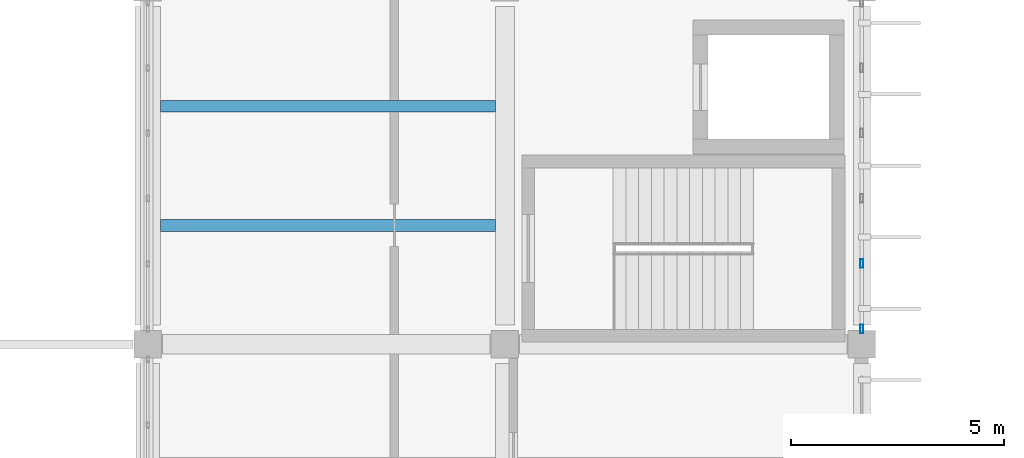
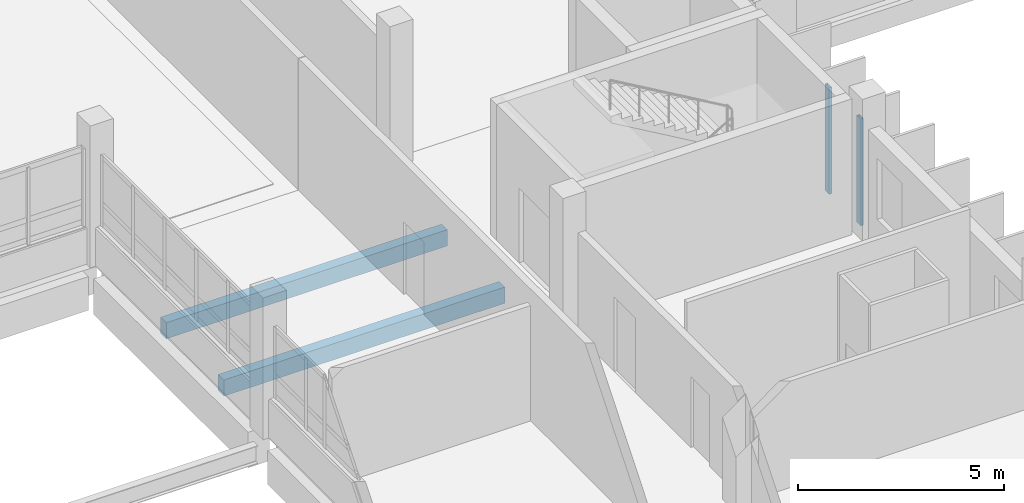
# One storey, part 57 of 101: 2 beams, 2 members, 1 element without a shape of its own.
"""IFC4 building model written with IfcOpenShell, lengths in metres."""

from ifc_helpers import new_model, si_unit, direction, frame, origin, origin_2d, place, context, subcontext, project, spatial, rectangle, hollow_rectangle, extrude, material, layer, layer_set, material_profile, profile_set, type_object, element, aggregate, save


model = new_model("IFC4")

# Units and contexts
model_context = context("Model", 3, precision=1e-05, world=origin(), true_north=direction((0.0, 1.0)))
body_context = subcontext(model_context, "Body", "Model", "MODEL_VIEW")
ifc_project = project(units=[si_unit("LENGTHUNIT", "METRE"), si_unit("AREAUNIT", "SQUARE_METRE"), si_unit("VOLUMEUNIT", "CUBIC_METRE"), si_unit("PLANEANGLEUNIT", "RADIAN"), si_unit("MASSUNIT", "GRAM", prefix="KILO")], contexts=[model_context])

# Site, building, storey
site_placement = place(None, origin())
site = spatial("IfcSite", under=ifc_project, at=site_placement, CompositionType="ELEMENT")
building_placement = place(site_placement, origin())
building = spatial("IfcBuilding", under=site, at=building_placement, Name="Vireocrest Preparatory School", CompositionType="ELEMENT")
storey_placement = place(building_placement, frame((0.0, 0.0, 4.800048828125)))
storey = spatial("IfcBuildingStorey", under=building, at=storey_placement, Name="L01", CompositionType="ELEMENT", Elevation=4.800048828125)

# Curtain wall, members
ifc_material_1 = material(Name="Thermally broken aluminium EN AW-6063-T6", Category="aluminium")
ifc_layer = layer(ifc_material_1, 0.179931640625)
ifc_layer_set = layer_set([ifc_layer], Name="Thermally broken aluminium EN AW-6063-T6")
curtain_wall_type = type_object("IfcCurtainWallType", Name="Teaching Fin Curtain Wall 8400x4200", PredefinedType="USERDEFINED", material=ifc_layer_set)
curtain_wall_placement = place(storey_placement, origin())
curtain_wall = element("IfcCurtainWall", 1, at=curtain_wall_placement, inside=storey, type_object=curtain_wall_type, Name="Curtain Wall CW03 CW_L01_CW03_1092_0777_048", ObjectType="CURTAIN WALL", PredefinedType="USERDEFINED")
ifc_material_profile_1 = material_profile(ifc_material_1, hollow_rectangle(XDim=0.074951171875, YDim=0.199951171875, WallThickness=0.0048828125, at=origin_2d()), Name="ALU 75x200x5")
ifc_profile_set_1 = profile_set([ifc_material_profile_1], Name="Thermally broken aluminium EN AW-6063-T6")
member_type = type_object("IfcMemberType", Name="CW Mullion 75x200x5", PredefinedType="MULLION", material=ifc_profile_set_1)
member_1_placement = place(storey_placement, frame((109.199951171875, 77.760009765625, 0.0), z_axis=(0.0, 0.0, 1.0), x_axis=(1.0, 0.0, 0.0)))
member_1 = element("IfcMember", 2, at=member_1_placement, type_object=member_type, Name="CW Mullion ML3 CW_L01_CW03_1092_0777_048-1", PredefinedType="MULLION", context=body_context, shape_type="SweptSolid", body=[
    extrude(hollow_rectangle(XDim=0.074951171875, YDim=0.199951171875, WallThickness=0.0048828125, at=origin_2d()), origin(), (0.0, 0.0, 1.0), 3.1650390625),
])
member_2_placement = place(storey_placement, frame((109.199951171875, 79.2958984375, 0.0), z_axis=(0.0, 0.0, 1.0), x_axis=(1.0, 0.0, 0.0)))
member_2 = element("IfcMember", 3, at=member_2_placement, type_object=member_type, Name="CW Mullion ML3 CW_L01_CW03_1092_0777_048-2", PredefinedType="MULLION", context=body_context, shape_type="SweptSolid", body=[
    extrude(hollow_rectangle(XDim=0.074951171875, YDim=0.199951171875, WallThickness=0.0048828125, at=origin_2d()), origin(), (0.0, 0.0, 1.0), 3.1650390625),
])
aggregate(curtain_wall, [member_1, member_2])

# Beams
ifc_material_2 = material(Name="Concrete 40 MPa", Category="concrete")
ifc_material_profile_2 = material_profile(ifc_material_2, rectangle(XDim=0.280029296875, YDim=0.47998046875, at=origin_2d()), Name="RC 280x480")
ifc_profile_set_2 = profile_set([ifc_material_profile_2], Name="Concrete 40 MPa")
beam_type = type_object("IfcBeamType", Name="RC Secondary Lab Joist 280x480", PredefinedType="JOIST", material=ifc_profile_set_2)
for number, where, z_axis, x_axis, name in (
    (4, (92.699951171875, 80.199951171875, -0.5), (1.0, 0.0, 0.0), (0.0, 1.0, 0.0), "Secondary Joist J02 L01-0601"),
    (5, (92.699951171875, 83.0, -0.5), (1.0, 0.0, 0.0), (0.0, 1.0, 0.0), "Secondary Joist J02 L01-0602"),
):
    element("IfcBeam", number, at=place(storey_placement, frame(where, z_axis=z_axis, x_axis=x_axis)), inside=storey, type_object=beam_type, Name=name, PredefinedType="JOIST", context=body_context, shape_type="SweptSolid", body=[
        extrude(rectangle(XDim=0.280029296875, YDim=0.47998046875, at=origin_2d()), origin(), (0.0, 0.0, 1.0), 7.875),
    ])

save(model, "model.ifc")
